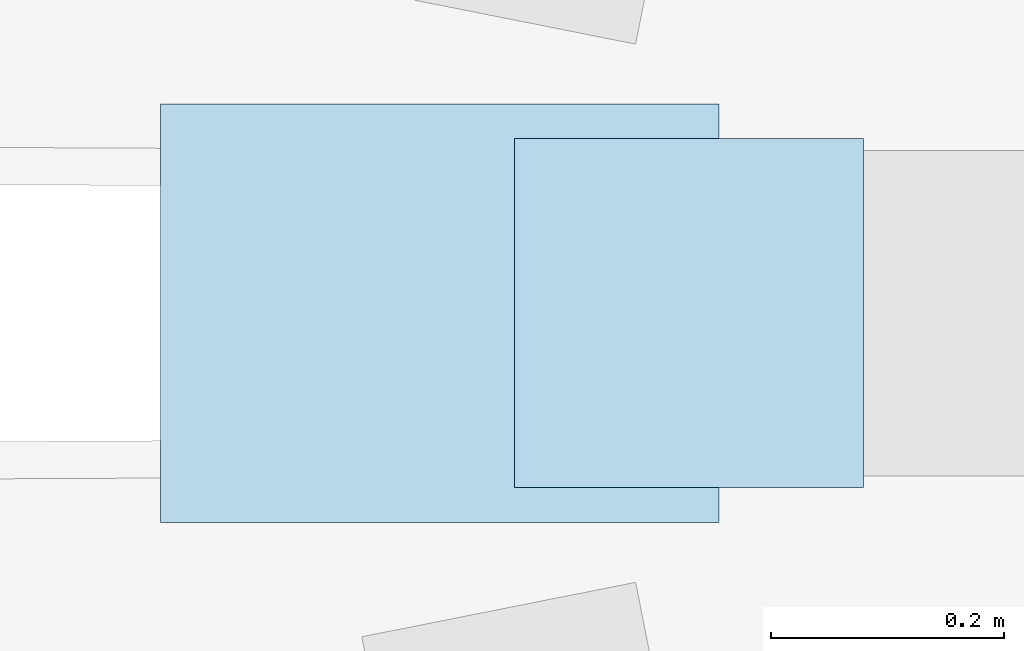
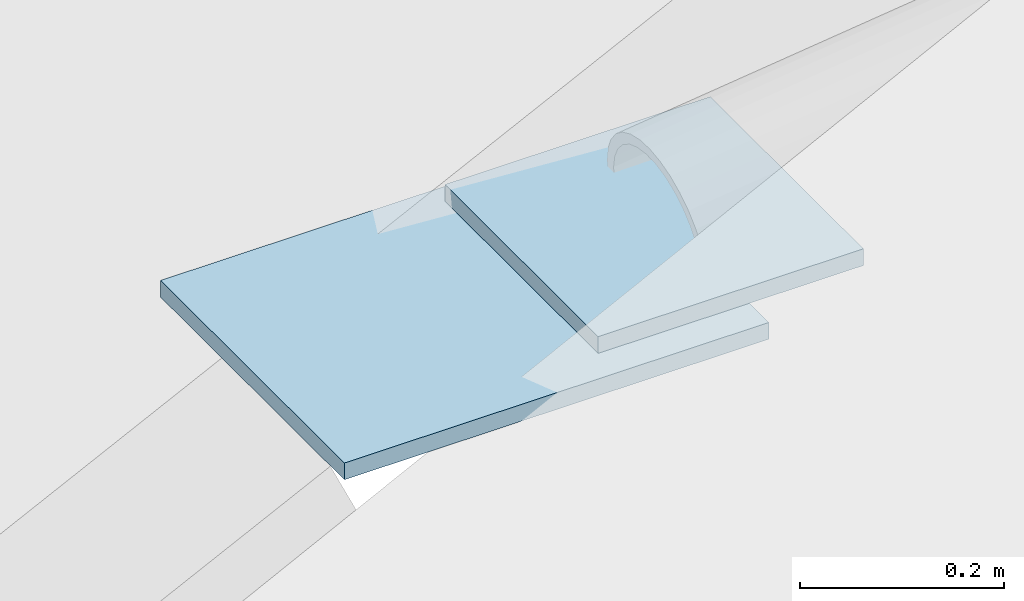
# One storey, part 49 of 66: 2 plates.
"""IFC4 building model written with IfcOpenShell, lengths in metres."""

from ifc_helpers import new_model, si_unit, direction, frame, origin, origin_2d, place, context, subcontext, project, spatial, rectangle, extrude, material, layer, layer_set, type_object, element, save


model = new_model("IFC4")

# Units and contexts
model_context = context("Model", 3, precision=1e-05, world=origin(), true_north=direction((0.0, 1.0)))
body_context = subcontext(model_context, "Body", "Model", "MODEL_VIEW")
ifc_project = project(units=[si_unit("LENGTHUNIT", "METRE"), si_unit("AREAUNIT", "SQUARE_METRE"), si_unit("VOLUMEUNIT", "CUBIC_METRE"), si_unit("PLANEANGLEUNIT", "RADIAN"), si_unit("MASSUNIT", "GRAM", prefix="KILO")], contexts=[model_context])

# Site, building, storey
site_placement = place(None, origin())
site = spatial("IfcSite", under=ifc_project, at=site_placement, CompositionType="ELEMENT")
building_placement = place(site_placement, origin())
building = spatial("IfcBuilding", under=site, at=building_placement, Name="Caldaven Crescent School", CompositionType="ELEMENT")
storey_placement = place(building_placement, frame((0.0, 0.0, 8.159912109375)))
storey = spatial("IfcBuildingStorey", under=building, at=storey_placement, Name="L02", CompositionType="ELEMENT", Elevation=8.159912109375)

# Plates
ifc_material = material(Name="Steel ASTM A572 Grade 50", Category="steel")
ifc_layer_1 = layer(ifc_material, 0.02001953125)
ifc_layer_set_1 = layer_set([ifc_layer_1], Name="Steel ASTM A572 Grade 50")
plate_type_1 = type_object("IfcPlateType", Name="PLT-CAP24", PredefinedType="USERDEFINED", material=ifc_layer_set_1)
plate_1_placement = place(storey_placement, frame((135.21435546875, 98.5, 0.516357421875), z_axis=(0.0, 0.0, 1.0), x_axis=(1.0, 0.0, 0.0)))
element("IfcPlate", 1, at=plate_1_placement, inside=storey, type_object=plate_type_1, Name="PLT-CAP-0037-A", ObjectType="CAP_PLATE", PredefinedType="USERDEFINED", context=body_context, shape_type="SweptSolid", body=[
    extrude(rectangle(XDim=0.300048828125, YDim=0.300048828125, at=origin_2d()), origin(), (0.0, 0.0, 1.0), 0.02001953125),
])
ifc_layer_2 = layer(ifc_material, 0.02001953125)
ifc_layer_set_2 = layer_set([ifc_layer_2], Name="Steel ASTM A572 Grade 50")
plate_type_2 = type_object("IfcPlateType", Name="PLT-GUS1", PredefinedType="USERDEFINED", material=ifc_layer_set_2)
plate_2_placement = place(storey_placement, frame((135.0, 98.5, 0.489990234375), z_axis=(0.0, 0.0, 1.0), x_axis=(-1.0, 0.0, 0.0)))
element("IfcPlate", 2, at=plate_2_placement, inside=storey, type_object=plate_type_2, Name="GUS-V1-04-EAV", ObjectType="GUSSET_PLATE", PredefinedType="USERDEFINED", context=body_context, shape_type="SweptSolid", body=[
    extrude(rectangle(XDim=0.47998046875, YDim=0.360107421875, at=origin_2d()), origin(), (0.0, 0.0, 1.0), 0.02001953125),
])

save(model, "model.ifc")
